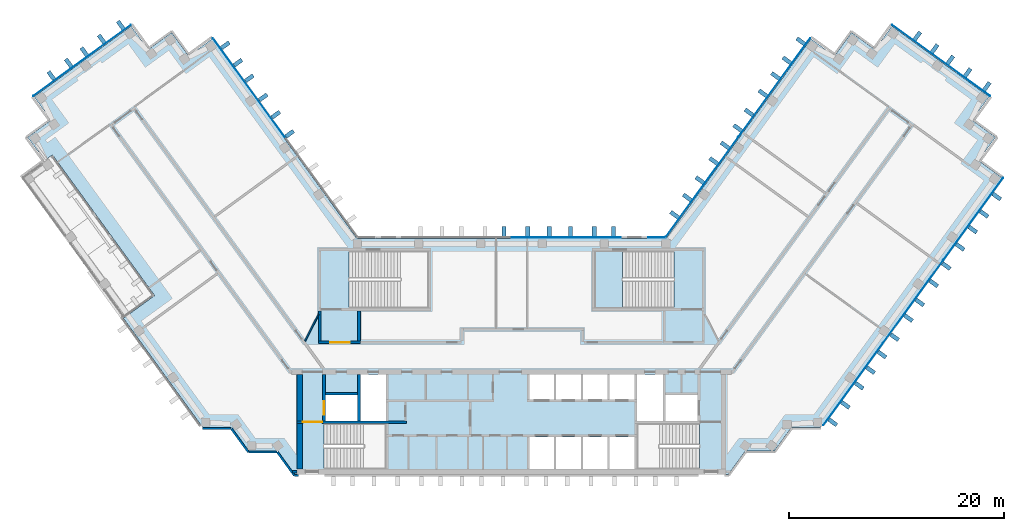
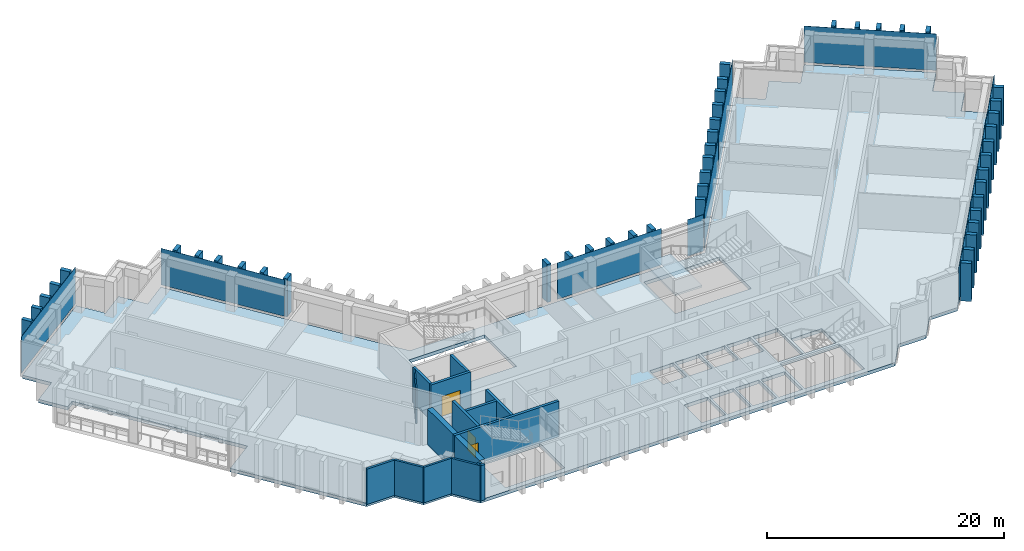
"""IFC4 building model written with IfcOpenShell, lengths in metres."""

from ifc_helpers import new_model, si_unit, direction, frame, frame_2d, origin, origin_2d, place, context, subcontext, project, spatial, polyline, rectangle, outline, extrude, material, layer, layer_set, type_object, element, fill, aggregate, save


model = new_model("IFC4")

# Units and contexts
model_context = context("Model", 3, precision=1e-05, world=origin(), true_north=direction((0.0, 1.0)))
body_context = subcontext(model_context, "Body", "Model", "MODEL_VIEW")
ifc_project = project(units=[si_unit("LENGTHUNIT", "METRE"), si_unit("AREAUNIT", "SQUARE_METRE"), si_unit("VOLUMEUNIT", "CUBIC_METRE"), si_unit("PLANEANGLEUNIT", "RADIAN"), si_unit("MASSUNIT", "GRAM", prefix="KILO")], contexts=[model_context])

# Site, building, storey
site_placement = place(None, origin())
site = spatial("IfcSite", under=ifc_project, at=site_placement, CompositionType="ELEMENT")
building_placement = place(site_placement, origin())
building = spatial("IfcBuilding", under=site, at=building_placement, Name="Quipu Civic Tower", CompositionType="ELEMENT")
storey_1_placement = place(building_placement, frame((0.0, 0.0, 152.0)))
storey_1 = spatial("IfcBuildingStorey", under=building, at=storey_1_placement, Name="L35", CompositionType="ELEMENT", Elevation=152.0)

# Slab
ifc_material_1 = material(Name="Concrete C40/50", Category="concrete")
ifc_layer_1 = layer(ifc_material_1, 0.35009765625)
ifc_layer_set_1 = layer_set([ifc_layer_1], Name="Concrete C40/50")
slab_type_1 = type_object("IfcSlabType", Name="Floor slab 350 C40/50", PredefinedType="FLOOR", material=ifc_layer_set_1)
slab_1_placement = place(storey_1_placement, frame((0.0, 0.0, -0.35009765625)))
element("IfcSlab", 1, at=slab_1_placement, inside=storey_1, type_object=slab_type_1, Name="Floor slab L35", PredefinedType="FLOOR", context=body_context, shape_type="SweptSolid", body=[
    extrude(outline(polyline([(-42.929931640625, 22.030029296875), (-44.514892578125, 24.215087890625), (-35.455078125, 30.800048828125), (-33.864990234375, 28.614990234375), (-31.68505859375, 30.199951171875), (-30.094970703125, 28.014892578125), (-27.909912109375, 29.60498046875), (-14.39501953125, 11.0), (14.39501953125, 11.0), (27.909912109375, 29.60498046875), (30.094970703125, 28.014892578125), (31.68505859375, 30.199951171875), (33.864990234375, 28.614990234375), (35.455078125, 30.800048828125), (44.514892578125, 24.215087890625), (42.929931640625, 22.030029296875), (45.114990234375, 20.445068359375), (43.52490234375, 18.260009765625), (45.7099609375, 16.669921875), (28.780029296875, -6.6298828125), (26.080078125, -6.6298828125), (24.489990234375, -8.81494140625), (21.7900390625, -8.81494140625), (20.205078125, -11.0), (-20.205078125, -11.0), (-21.7900390625, -8.81494140625), (-24.489990234375, -8.81494140625), (-26.080078125, -6.6298828125), (-28.780029296875, -6.6298828125), (-36.18994140625, 3.56494140625), (-33.27490234375, 5.679931640625), (-42.794921875, 18.7900390625), (-43.52490234375, 18.260009765625), (-45.114990234375, 20.445068359375), (-42.929931640625, 22.030029296875)]), holes=[polyline([(1.64990234375, -7.5), (1.64990234375, -10.5), (3.949951171875, -10.5), (3.949951171875, -7.5), (1.64990234375, -7.5)]), polyline([(4.14990234375, -7.5), (4.14990234375, -10.5), (6.449951171875, -10.5), (6.449951171875, -7.5), (4.14990234375, -7.5)]), polyline([(-11.705078125, -6.2548828125), (-17.4951171875, -6.2548828125), (-17.4951171875, -10.4951171875), (-11.705078125, -10.4951171875), (-11.705078125, -6.2548828125)]), polyline([(-17.35009765625, -3.60009765625), (-17.35009765625, -6.0), (-14.35009765625, -6.0), (-14.35009765625, -3.60009765625), (-17.35009765625, -3.60009765625)]), polyline([(-14.10009765625, -1.699951171875), (-14.10009765625, -6.0), (-11.699951171875, -6.0), (-11.699951171875, -1.699951171875), (-14.10009765625, -1.699951171875)]), polyline([(1.64990234375, -1.699951171875), (1.64990234375, -4.0), (3.949951171875, -4.0), (3.949951171875, -1.699951171875), (1.64990234375, -1.699951171875)]), polyline([(4.14990234375, -1.699951171875), (4.14990234375, -4.0), (6.449951171875, -4.0), (6.449951171875, -1.699951171875), (4.14990234375, -1.699951171875)]), polyline([(-7.7548828125, 9.844970703125), (-15.14501953125, 9.844970703125), (-15.14501953125, 4.5048828125), (-7.7548828125, 4.5048828125), (-7.7548828125, 9.844970703125)]), polyline([(6.64990234375, -7.5), (6.64990234375, -10.5), (8.949951171875, -10.5), (8.949951171875, -7.5), (6.64990234375, -7.5)]), polyline([(9.14990234375, -7.5), (9.14990234375, -10.5), (11.449951171875, -10.5), (11.449951171875, -7.5), (9.14990234375, -7.5)]), polyline([(11.705078125, -10.4951171875), (17.4951171875, -10.4951171875), (17.4951171875, -6.2548828125), (11.705078125, -6.2548828125), (11.705078125, -10.4951171875)]), polyline([(14.35009765625, -3.60009765625), (14.35009765625, -6.0), (17.35009765625, -6.0), (17.35009765625, -3.60009765625), (14.35009765625, -3.60009765625)]), polyline([(11.699951171875, -1.699951171875), (11.699951171875, -6.0), (14.10009765625, -6.0), (14.10009765625, -1.699951171875), (11.699951171875, -1.699951171875)]), polyline([(6.64990234375, -1.699951171875), (6.64990234375, -4.0), (8.949951171875, -4.0), (8.949951171875, -1.699951171875), (6.64990234375, -1.699951171875)]), polyline([(9.14990234375, -1.699951171875), (9.14990234375, -4.0), (11.449951171875, -4.0), (11.449951171875, -1.699951171875), (9.14990234375, -1.699951171875)]), polyline([(7.7548828125, 4.5048828125), (15.14501953125, 4.5048828125), (15.14501953125, 9.844970703125), (7.7548828125, 9.844970703125), (7.7548828125, 4.5048828125)])]), origin(), (0.0, 0.0, 1.0), 0.35009765625),
])

# Storey
storey_2_placement = place(building_placement, frame((0.0, 0.0, 148.0)))
storey_2 = spatial("IfcBuildingStorey", under=building, at=storey_2_placement, Name="L34", CompositionType="ELEMENT", Elevation=148.0)

# Curtain wall, plates
ifc_material_2 = material(Name="Insulated glass unit", Category="glass")
curtain_wall_type = type_object("IfcCurtainWallType", Name="Office curtain wall CW1", PredefinedType="NOTDEFINED", material=ifc_material_2)
curtain_wall_1_placement = place(storey_2_placement, origin())
curtain_wall_1 = element("IfcCurtainWall", 2, at=curtain_wall_1_placement, inside=storey_2, type_object=curtain_wall_type, Name="Office curtain wall CW1 L33 run 16", PredefinedType="NOTDEFINED")
ifc_material_3 = material(Name="Insulated glass unit", Category="glass")
ifc_layer_2 = layer(ifc_material_3, 0.028076171875)
ifc_layer_set_2 = layer_set([ifc_layer_2], Name="Insulated glass unit")
plate_type_1 = type_object("IfcPlateType", Name="Glass panel CW1", PredefinedType="CURTAIN_PANEL", material=ifc_layer_set_2)
plate_1_placement = place(storey_1_placement, frame((31.824951171875, -2.60888671875, 0.16015625), z_axis=(0.0, 0.0, 1.0), x_axis=(0.5877856923, 0.80901667469, 0.0)))
plate_1 = element("IfcPlate", 3, at=plate_1_placement, inside=storey_1, type_object=plate_type_1, Name="CW1 panel 1.3", PredefinedType="CURTAIN_PANEL", context=body_context, shape_type="SweptSolid", body=[
    extrude(rectangle(XDim=9.43212890625, YDim=0.028076171875, at=origin_2d()), origin(), (0.0, 0.0, 1.0), 3.760009765625),
])
plate_2_placement = place(storey_1_placement, frame((37.427734375, 5.102783203125, 0.16015625), z_axis=(0.0, 0.0, 1.0), x_axis=(0.5877856923, 0.80901667469, 0.0)))
plate_2 = element("IfcPlate", 4, at=plate_2_placement, inside=storey_1, type_object=plate_type_1, Name="CW1 panel 2.3", PredefinedType="CURTAIN_PANEL", context=body_context, shape_type="SweptSolid", body=[
    extrude(rectangle(XDim=9.471923828125, YDim=0.028076171875, at=origin_2d()), origin(), (0.0, 0.0, 1.0), 3.760009765625),
])
plate_3_placement = place(storey_1_placement, frame((43.030517578125, 12.814208984375, 0.16015625), z_axis=(0.0, 0.0, 1.0), x_axis=(0.5877856923, 0.80901667469, 0.0)))
plate_3 = element("IfcPlate", 5, at=plate_3_placement, inside=storey_1, type_object=plate_type_1, Name="CW1 panel 3.3", PredefinedType="CURTAIN_PANEL", context=body_context, shape_type="SweptSolid", body=[
    extrude(rectangle(XDim=9.43212890625, YDim=0.028076171875, at=origin_2d()), origin(), (0.0, 0.0, 1.0), 3.760009765625),
])
aggregate(curtain_wall_1, [plate_1, plate_2, plate_3])

# Curtain wall, plate
curtain_wall_2_placement = place(storey_2_placement, origin())
curtain_wall_2 = element("IfcCurtainWall", 6, at=curtain_wall_2_placement, inside=storey_2, type_object=curtain_wall_type, Name="Office curtain wall CW1 L33 run 21", PredefinedType="NOTDEFINED")
plate_4_placement = place(storey_1_placement, frame((40.04345703125, 27.58740234375, 0.16015625), z_axis=(0.0, 0.0, 1.0), x_axis=(-0.809015176832, 0.587787753918, 0.0)))
plate_4 = element("IfcPlate", 7, at=plate_4_placement, inside=storey_1, type_object=plate_type_1, Name="CW1 panel 1.3", PredefinedType="CURTAIN_PANEL", context=body_context, shape_type="SweptSolid", body=[
    extrude(rectangle(XDim=11.239990234375, YDim=0.028076171875, at=origin_2d()), origin(), (0.0, 0.0, 1.0), 3.760009765625),
])
aggregate(curtain_wall_2, [plate_4])

# Curtain wall, plates
curtain_wall_3_placement = place(storey_2_placement, origin())
curtain_wall_3 = element("IfcCurtainWall", 8, at=curtain_wall_3_placement, inside=storey_2, type_object=curtain_wall_type, Name="Office curtain wall CW1 L33 run 26", PredefinedType="NOTDEFINED")
plate_5_placement = place(storey_1_placement, frame((24.491455078125, 25.066162109375, 0.16015625), z_axis=(0.0, 0.0, 1.0), x_axis=(-0.587788727052, -0.809014469803, 0.0)))
plate_5 = element("IfcPlate", 9, at=plate_5_placement, inside=storey_1, type_object=plate_type_1, Name="CW1 panel 1.3", PredefinedType="CURTAIN_PANEL", context=body_context, shape_type="SweptSolid", body=[
    extrude(rectangle(XDim=11.402099609375, YDim=0.028076171875, at=origin_2d()), origin(), (0.0, 0.0, 1.0), 3.760009765625),
])
plate_6_placement = place(storey_1_placement, frame((17.7421875, 15.777099609375, 0.16015625), z_axis=(0.0, 0.0, 1.0), x_axis=(-0.587788727052, -0.809014469803, 0.0)))
plate_6 = element("IfcPlate", 10, at=plate_6_placement, inside=storey_1, type_object=plate_type_1, Name="CW1 panel 2.3", PredefinedType="CURTAIN_PANEL", context=body_context, shape_type="SweptSolid", body=[
    extrude(rectangle(XDim=11.402099609375, YDim=0.028076171875, at=origin_2d()), origin(), (0.0, 0.0, 1.0), 3.760009765625),
])
aggregate(curtain_wall_3, [plate_5, plate_6])

# Curtain wall, plate
curtain_wall_4_placement = place(storey_2_placement, origin())
curtain_wall_4 = element("IfcCurtainWall", 11, at=curtain_wall_4_placement, inside=storey_2, type_object=curtain_wall_type, Name="Office curtain wall CW1 L33 run 27", PredefinedType="NOTDEFINED")
plate_7_placement = place(storey_1_placement, frame((13.49951171875, 11.10009765625, 0.16015625), z_axis=(0.0, 0.0, 1.0), x_axis=(-1.0, 0.0, 0.0)))
plate_7 = element("IfcPlate", 12, at=plate_7_placement, inside=storey_1, type_object=plate_type_1, Name="CW1 panel 1.3", PredefinedType="CURTAIN_PANEL", context=body_context, shape_type="SweptSolid", body=[
    extrude(rectangle(XDim=1.529296875, YDim=0.028076171875, at=origin_2d()), origin(), (0.0, 0.0, 1.0), 3.760009765625),
])
aggregate(curtain_wall_4, [plate_7])

curtain_wall_5_placement = place(storey_2_placement, origin())
curtain_wall_5 = element("IfcCurtainWall", 13, at=curtain_wall_5_placement, inside=storey_2, type_object=curtain_wall_type, Name="Office curtain wall CW1 L33 run 29", PredefinedType="NOTDEFINED")
plate_8_placement = place(storey_1_placement, frame((5.11181640625, 11.10009765625, 0.16015625), z_axis=(0.0, 0.0, 1.0), x_axis=(-1.0, 0.0, 0.0)))
plate_8 = element("IfcPlate", 14, at=plate_8_placement, inside=storey_1, type_object=plate_type_1, Name="CW1 panel 1.3", PredefinedType="CURTAIN_PANEL", context=body_context, shape_type="SweptSolid", body=[
    extrude(rectangle(XDim=10.1435546875, YDim=0.028076171875, at=origin_2d()), origin(), (0.0, 0.0, 1.0), 3.760009765625),
])
aggregate(curtain_wall_5, [plate_8])

curtain_wall_6_placement = place(storey_2_placement, origin())
curtain_wall_6 = element("IfcCurtainWall", 15, at=curtain_wall_6_placement, inside=storey_2, type_object=curtain_wall_type, Name="Office curtain wall CW1 L33 run 32", PredefinedType="NOTDEFINED")
plate_9_placement = place(storey_1_placement, frame((-24.491455078125, 25.066162109375, 0.16015625), z_axis=(0.0, 0.0, 1.0), x_axis=(-0.587788727052, 0.809014469803, 0.0)))
plate_9 = element("IfcPlate", 16, at=plate_9_placement, inside=storey_1, type_object=plate_type_1, Name="CW1 panel 2.3", PredefinedType="CURTAIN_PANEL", context=body_context, shape_type="SweptSolid", body=[
    extrude(rectangle(XDim=11.402099609375, YDim=0.028076171875, at=origin_2d()), origin(), (0.0, 0.0, 1.0), 3.760009765625),
])
aggregate(curtain_wall_6, [plate_9])

curtain_wall_7_placement = place(storey_2_placement, origin())
curtain_wall_7 = element("IfcCurtainWall", 17, at=curtain_wall_7_placement, inside=storey_2, type_object=curtain_wall_type, Name="Office curtain wall CW1 L33 run 37", PredefinedType="NOTDEFINED")
plate_10_placement = place(storey_1_placement, frame((-40.04345703125, 27.58740234375, 0.16015625), z_axis=(0.0, 0.0, 1.0), x_axis=(-0.809015176832, -0.587787753918, 0.0)))
plate_10 = element("IfcPlate", 18, at=plate_10_placement, inside=storey_1, type_object=plate_type_1, Name="CW1 panel 1.3", PredefinedType="CURTAIN_PANEL", context=body_context, shape_type="SweptSolid", body=[
    extrude(rectangle(XDim=11.239990234375, YDim=0.028076171875, at=origin_2d()), origin(), (0.0, 0.0, 1.0), 3.760009765625),
])
aggregate(curtain_wall_7, [plate_10])

# Plates
ifc_material_4 = material(Name="Precast concrete C40/50", Category="concrete")
plate_type_2 = type_object("IfcPlateType", Name="Precast fin F2", PredefinedType="SHEET", material=ifc_material_4)
for number, where, z_axis, x_axis, name in (
    (19, (29.944091796875, -6.133056640625, 0.080078125), (0.0, 0.0, 1.0), (0.587785620359, 0.809016726959, 0.0), "Precast fin F2 L35.P13.1"),
    (20, (31.119873046875, -4.51513671875, 0.080078125), (0.0, 0.0, 1.0), (0.587785620359, 0.809016726959, 0.0), "Precast fin F2 L35.P13.2"),
    (21, (32.412841796875, -2.7353515625, 0.080078125), (0.0, 0.0, 1.0), (0.587785620359, 0.809016726959, 0.0), "Precast fin F2 L35.P13.3"),
    (22, (33.470947265625, -1.279052734375, 0.080078125), (0.0, 0.0, 1.0), (0.587785620359, 0.809016726959, 0.0), "Precast fin F2 L35.P13.4"),
    (23, (34.52880859375, 0.17724609375, 0.080078125), (0.0, 0.0, 1.0), (0.587785620359, 0.809016726959, 0.0), "Precast fin F2 L35.P13.5"),
    (24, (35.70458984375, 1.795166015625, 0.080078125), (0.0, 0.0, 1.0), (0.587785620359, 0.809016726959, 0.0), "Precast fin F2 L35.P13.6"),
    (25, (36.99755859375, 3.5751953125, 0.080078125), (0.0, 0.0, 1.0), (0.587785620359, 0.809016726959, 0.0), "Precast fin F2 L35.P13.7"),
    (26, (38.0556640625, 5.03125, 0.080078125), (0.0, 0.0, 1.0), (0.587785620359, 0.809016726959, 0.0), "Precast fin F2 L35.P13.8"),
    (27, (39.348876953125, 6.81103515625, 0.080078125), (0.0, 0.0, 1.0), (0.587785620359, 0.809016726959, 0.0), "Precast fin F2 L35.P13.9"),
    (28, (40.5244140625, 8.42919921875, 0.080078125), (0.0, 0.0, 1.0), (0.587785620359, 0.809016726959, 0.0), "Precast fin F2 L35.P13.10"),
    (29, (41.8173828125, 10.208984375, 0.080078125), (0.0, 0.0, 1.0), (0.587785620359, 0.809016726959, 0.0), "Precast fin F2 L35.P13.11"),
    (30, (42.992919921875, 11.8271484375, 0.080078125), (0.0, 0.0, 1.0), (0.587785620359, 0.809016726959, 0.0), "Precast fin F2 L35.P13.12"),
    (31, (44.051025390625, 13.283203125, 0.080078125), (0.0, 0.0, 1.0), (0.587785620359, 0.809016726959, 0.0), "Precast fin F2 L35.P13.13"),
    (32, (45.2265625, 14.9013671875, 0.080078125), (0.0, 0.0, 1.0), (0.587785620359, 0.809016726959, 0.0), "Precast fin F2 L35.P13.14"),
    (33, (44.298583984375, 25.17578125, 0.080078125), (0.0, 0.0, 1.0), (-0.809017072762, 0.587785144401, 0.0), "Precast fin F2 L35.P18.1"),
    (34, (42.518798828125, 26.468994140625, 0.080078125), (0.0, 0.0, 1.0), (-0.809017072762, 0.587785144401, 0.0), "Precast fin F2 L35.P18.2"),
    (35, (40.900634765625, 27.64453125, 0.080078125), (0.0, 0.0, 1.0), (-0.809017072762, 0.587785144401, 0.0), "Precast fin F2 L35.P18.3"),
    (36, (39.444580078125, 28.70263671875, 0.080078125), (0.0, 0.0, 1.0), (-0.809017072762, 0.587785144401, 0.0), "Precast fin F2 L35.P18.4"),
    (37, (37.826416015625, 29.878173828125, 0.080078125), (0.0, 0.0, 1.0), (-0.809017072762, 0.587785144401, 0.0), "Precast fin F2 L35.P18.5"),
    (38, (26.95068359375, 29.386962890625, 0.080078125), (0.0, 0.0, 1.0), (-0.587787133119, -0.809015627871, 0.0), "Precast fin F2 L35.P23.1"),
    (39, (25.657470703125, 27.607177734375, 0.080078125), (0.0, 0.0, 1.0), (-0.587787133119, -0.809015627871, 0.0), "Precast fin F2 L35.P23.2"),
    (40, (24.599609375, 26.15087890625, 0.080078125), (0.0, 0.0, 1.0), (-0.587787133119, -0.809015627871, 0.0), "Precast fin F2 L35.P23.3"),
    (41, (23.424072265625, 24.53271484375, 0.080078125), (0.0, 0.0, 1.0), (-0.587787133119, -0.809015627871, 0.0), "Precast fin F2 L35.P23.4"),
    (42, (22.130859375, 22.7529296875, 0.080078125), (0.0, 0.0, 1.0), (-0.587787133119, -0.809015627871, 0.0), "Precast fin F2 L35.P23.5"),
    (43, (21.07275390625, 21.296630859375, 0.080078125), (0.0, 0.0, 1.0), (-0.587787133119, -0.809015627871, 0.0), "Precast fin F2 L35.P23.6"),
    (44, (19.897216796875, 19.6787109375, 0.080078125), (0.0, 0.0, 1.0), (-0.587787133119, -0.809015627871, 0.0), "Precast fin F2 L35.P23.7"),
    (45, (18.839111328125, 18.222412109375, 0.080078125), (0.0, 0.0, 1.0), (-0.587787133119, -0.809015627871, 0.0), "Precast fin F2 L35.P23.8"),
    (46, (17.546142578125, 16.442626953125, 0.080078125), (0.0, 0.0, 1.0), (-0.587787133119, -0.809015627871, 0.0), "Precast fin F2 L35.P23.9"),
    (47, (16.37060546875, 14.82470703125, 0.080078125), (0.0, 0.0, 1.0), (-0.587787133119, -0.809015627871, 0.0), "Precast fin F2 L35.P23.10"),
    (48, (15.19482421875, 13.20654296875, 0.080078125), (0.0, 0.0, 1.0), (-0.587787133119, -0.809015627871, 0.0), "Precast fin F2 L35.P23.11"),
    (49, (9.510009765625, 11.64990234375, 0.080078125), (0.0, 0.0, 1.0), (-1.0, 0.0, 0.0), "Precast fin F2 L35.P26.1"),
    (50, (7.7099609375, 11.64990234375, 0.080078125), (0.0, 0.0, 1.0), (-1.0, 0.0, 0.0), "Precast fin F2 L35.P26.2"),
    (51, (5.510009765625, 11.64990234375, 0.080078125), (0.0, 0.0, 1.0), (-1.0, 0.0, 0.0), "Precast fin F2 L35.P26.3"),
    (52, (3.510009765625, 11.64990234375, 0.080078125), (0.0, 0.0, 1.0), (-1.0, 0.0, 0.0), "Precast fin F2 L35.P26.4"),
    (53, (1.510009765625, 11.64990234375, 0.080078125), (0.0, 0.0, 1.0), (-1.0, 0.0, 0.0), "Precast fin F2 L35.P26.5"),
    (54, (-0.68994140625, 11.64990234375, 0.080078125), (0.0, 0.0, 1.0), (-1.0, 0.0, 0.0), "Precast fin F2 L35.P26.6"),
    (55, (-20.681884765625, 20.758544921875, 0.080078125), (0.0, 0.0, 1.0), (-0.587787133119, 0.809015627871, 0.0), "Precast fin F2 L35.P29.6"),
    (56, (-21.974853515625, 22.538330078125, 0.080078125), (0.0, 0.0, 1.0), (-0.587787133119, 0.809015627871, 0.0), "Precast fin F2 L35.P29.7"),
    (57, (-23.150390625, 24.156494140625, 0.080078125), (0.0, 0.0, 1.0), (-0.587787133119, 0.809015627871, 0.0), "Precast fin F2 L35.P29.8"),
    (58, (-24.443603515625, 25.936279296875, 0.080078125), (0.0, 0.0, 1.0), (-0.587787133119, 0.809015627871, 0.0), "Precast fin F2 L35.P29.9"),
    (59, (-25.501708984375, 27.392578125, 0.080078125), (0.0, 0.0, 1.0), (-0.587787133119, 0.809015627871, 0.0), "Precast fin F2 L35.P29.10"),
    (60, (-26.67724609375, 29.010498046875, 0.080078125), (0.0, 0.0, 1.0), (-0.587787133119, 0.809015627871, 0.0), "Precast fin F2 L35.P29.11"),
    (61, (-36.434814453125, 30.88916015625, 0.080078125), (0.0, 0.0, 1.0), (-0.809017072762, -0.587785144401, 0.0), "Precast fin F2 L35.P34.1"),
    (62, (-38.21484375, 29.595947265625, 0.080078125), (0.0, 0.0, 1.0), (-0.809017072762, -0.587785144401, 0.0), "Precast fin F2 L35.P34.2"),
    (63, (-39.832763671875, 28.42041015625, 0.080078125), (0.0, 0.0, 1.0), (-0.809017072762, -0.587785144401, 0.0), "Precast fin F2 L35.P34.3"),
    (64, (-41.2890625, 27.3623046875, 0.080078125), (0.0, 0.0, 1.0), (-0.809017072762, -0.587785144401, 0.0), "Precast fin F2 L35.P34.4"),
    (65, (-42.906982421875, 26.186767578125, 0.080078125), (0.0, 0.0, 1.0), (-0.809017072762, -0.587785144401, 0.0), "Precast fin F2 L35.P34.5"),
):
    element("IfcPlate", number, at=place(storey_1_placement, frame(where, z_axis=z_axis, x_axis=x_axis)), inside=storey_1, type_object=plate_type_2, Name=name, PredefinedType="SHEET", context=body_context, shape_type="SweptSolid", body=[
        extrude(rectangle(XDim=0.3798828125, YDim=0.89990234375, at=origin_2d()), origin(), (0.0, 0.0, 1.0), 3.919921875),
    ])

# Stair, slab
ifc_material_5 = material(Name="Concrete C40/50", Category="concrete")
stair_type = type_object("IfcStairType", Name="Half turn stair 2600", PredefinedType="HALF_TURN_STAIR", material=ifc_material_5)
stair_placement = place(storey_1_placement, origin())
stair = element("IfcStair", 66, at=stair_placement, inside=storey_1, type_object=stair_type, Name="Exit stair 4", PredefinedType="HALF_TURN_STAIR")
ifc_material_6 = material(Name="Concrete C40/50", Category="concrete")
ifc_layer_3 = layer(ifc_material_6, 0.199951171875)
ifc_layer_set_3 = layer_set([ifc_layer_3], Name="Concrete C40/50")
slab_type_2 = type_object("IfcSlabType", Name="Stair landing 200", PredefinedType="LANDING", material=ifc_layer_set_3)
slab_2_placement = place(storey_1_placement, frame((0.0, 0.0, 1.800048828125)))
slab_2 = element("IfcSlab", 67, at=slab_2_placement, type_object=slab_type_2, Name="ST-4 landing 1", PredefinedType="LANDING", context=body_context, shape_type="SweptSolid", body=[
    extrude(outline(polyline([(10.35009765625, 9.85009765625), (7.75, 9.85009765625), (7.75, 4.5), (10.35009765625, 4.5), (10.35009765625, 9.85009765625)])), origin(), (0.0, 0.0, 1.0), 0.199951171875),
])
aggregate(stair, [slab_2])

# Wall, opening, door
ifc_material_7 = material(Name="Concrete C70/85", Category="concrete")
ifc_layer_4 = layer(ifc_material_7, 0.25)
ifc_layer_set_4 = layer_set([ifc_layer_4], Name="Concrete C70/85")
wall_type_1 = type_object("IfcWallType", Name="Core wall 250", PredefinedType="SHEAR", material=ifc_layer_set_4)
wall_1_placement = place(storey_1_placement, frame((-9.800048828125, -6.125, 0.0), z_axis=(0.0, 0.0, 1.0), x_axis=(-1.0, 0.0, 0.0)))
wall_1 = element("IfcWall", 68, at=wall_1_placement, inside=storey_1, type_object=wall_type_1, Name="Core wall", PredefinedType="SHEAR", context=body_context, shape_type="SweptSolid", body=[
    extrude(rectangle(XDim=10.199951171875, YDim=0.25, at=frame_2d((5.10009765625, 0.0))), origin(), (0.0, 0.0, 1.0), 3.64990234375),
])
opening_1_placement = place(wall_1_placement, frame((7.85009765625, 0.0, 0.0)))
opening_1 = element("IfcOpeningElement", 69, at=opening_1_placement, cuts=wall_1, Name="Opening CD-07", PredefinedType="OPENING", context=body_context, shape_type="SweptSolid", body=[
    extrude(rectangle(XDim=1.800048828125, YDim=2.10009765625, at=frame_2d((0.89990234375, 1.050048828125))), frame((0.0, 0.135009765625, 0.0), z_axis=(0.0, -1.0, 0.0), x_axis=(1.0, 0.0, 0.0)), (0.0, 0.0, 1.0), 0.27001953125),
])
ifc_material_8 = material(Name="Fire rated steel door", Category="steel")
door_type_1 = type_object("IfcDoorType", Name="Fire door FD90 double 1800 x 2100", OperationType="NOTDEFINED", PredefinedType="DOOR", material=ifc_material_8)
door_1_placement = place(opening_1_placement, origin())
door_1 = element("IfcDoor", 70, at=door_1_placement, inside=storey_1, type_object=door_type_1, Name="Door", OperationType="DOUBLE_DOOR_SINGLE_SWING", OverallHeight=2.10009765625, OverallWidth=1.800048828125, PredefinedType="DOOR", context=body_context, shape_type="SweptSolid", body=[
    extrude(rectangle(XDim=1.800048828125, YDim=2.10009765625, at=frame_2d((0.89990234375, 1.050048828125))), frame((0.0, 0.02490234375, 0.0), z_axis=(0.0, -1.0, 0.0), x_axis=(1.0, 0.0, 0.0)), (0.0, 0.0, 1.0), 0.050048828125),
])
fill(opening_1, door_1)

wall_2_placement = place(storey_1_placement, frame((-17.47509765625, -6.0, 0.0), z_axis=(0.0, 0.0, 1.0), x_axis=(0.0, 1.0, 0.0)))
wall_2 = element("IfcWall", 71, at=wall_2_placement, inside=storey_1, type_object=wall_type_1, Name="Core wall", PredefinedType="SHEAR", context=body_context, shape_type="SweptSolid", body=[
    extrude(rectangle(XDim=4.300048828125, YDim=0.25, at=frame_2d((2.14990234375, 0.0))), origin(), (0.0, 0.0, 1.0), 3.64990234375),
])
opening_2_placement = place(wall_2_placement, frame((0.550048828125, 0.0, 0.0)))
opening_2 = element("IfcOpeningElement", 72, at=opening_2_placement, cuts=wall_2, Name="Opening LD-FF1", PredefinedType="OPENING", context=body_context, shape_type="SweptSolid", body=[
    extrude(rectangle(XDim=1.300048828125, YDim=2.10009765625, at=frame_2d((0.64990234375, 1.050048828125))), frame((0.0, 0.135009765625, 0.0), z_axis=(0.0, -1.0, 0.0), x_axis=(1.0, 0.0, 0.0)), (0.0, 0.0, 1.0), 0.27001953125),
])
ifc_material_9 = material(Name="Stainless steel", Category="steel")
door_type_2 = type_object("IfcDoorType", Name="Lift landing door 1300 x 2100", OperationType="DOUBLE_DOOR_SLIDING", PredefinedType="DOOR", material=ifc_material_9)
door_2_placement = place(opening_2_placement, origin())
door_2 = element("IfcDoor", 73, at=door_2_placement, inside=storey_1, type_object=door_type_2, Name="Landing door FF1", OperationType="DOUBLE_DOOR_SLIDING", OverallHeight=2.10009765625, OverallWidth=1.300048828125, PredefinedType="DOOR", context=body_context, shape_type="SweptSolid", body=[
    extrude(rectangle(XDim=1.300048828125, YDim=2.10009765625, at=frame_2d((0.64990234375, 1.050048828125))), frame((0.0, 0.02490234375, 0.0), z_axis=(0.0, -1.0, 0.0), x_axis=(1.0, 0.0, 0.0)), (0.0, 0.0, 1.0), 0.050048828125),
])
fill(opening_2, door_2)

# Walls
wall_3_placement = place(storey_1_placement, frame((-14.22509765625, -6.0, 0.0), z_axis=(0.0, 0.0, 1.0), x_axis=(0.0, 1.0, 0.0)))
element("IfcWall", 74, at=wall_3_placement, inside=storey_1, type_object=wall_type_1, Name="Core wall", PredefinedType="SHEAR", context=body_context, shape_type="SweptSolid", body=[
    extrude(rectangle(XDim=4.300048828125, YDim=0.25, at=frame_2d((2.14990234375, 0.0))), origin(), (0.0, 0.0, 1.0), 3.64990234375),
])
wall_4_placement = place(storey_1_placement, frame((-17.35009765625, -3.47509765625, 0.0), z_axis=(0.0, 0.0, 1.0), x_axis=(1.0, 0.0, 0.0)))
element("IfcWall", 75, at=wall_4_placement, inside=storey_1, type_object=wall_type_1, Name="Core wall", PredefinedType="SHEAR", context=body_context, shape_type="SweptSolid", body=[
    extrude(rectangle(XDim=3.0, YDim=0.25, at=frame_2d((1.5, 0.0))), origin(), (0.0, 0.0, 1.0), 3.64990234375),
])

# Wall, opening, door
wall_5_placement = place(storey_1_placement, frame((-18.0, 1.324951171875, 0.0), z_axis=(0.0, 0.0, 1.0), x_axis=(1.0, 0.0, 0.0)))
wall_5 = element("IfcWall", 76, at=wall_5_placement, inside=storey_1, type_object=wall_type_1, Name="Core wall", PredefinedType="SHEAR", context=body_context, shape_type="SweptSolid", body=[
    extrude(rectangle(XDim=3.89990234375, YDim=0.25, at=frame_2d((1.949951171875, 0.0))), origin(), (0.0, 0.0, 1.0), 3.64990234375),
])
opening_3_placement = place(wall_5_placement, frame((1.10009765625, 0.0, 0.0)))
opening_3 = element("IfcOpeningElement", 77, at=opening_3_placement, cuts=wall_5, Name="Opening CD-22", PredefinedType="OPENING", context=body_context, shape_type="SweptSolid", body=[
    extrude(rectangle(XDim=1.800048828125, YDim=2.10009765625, at=frame_2d((0.89990234375, 1.050048828125))), frame((0.0, 0.135009765625, 0.0), z_axis=(0.0, -1.0, 0.0), x_axis=(1.0, 0.0, 0.0)), (0.0, 0.0, 1.0), 0.27001953125),
])
door_3_placement = place(opening_3_placement, origin())
door_3 = element("IfcDoor", 78, at=door_3_placement, inside=storey_1, type_object=door_type_1, Name="Lobby door", OperationType="DOUBLE_DOOR_SINGLE_SWING", OverallHeight=2.10009765625, OverallWidth=1.800048828125, PredefinedType="DOOR", context=body_context, shape_type="SweptSolid", body=[
    extrude(rectangle(XDim=1.800048828125, YDim=2.10009765625, at=frame_2d((0.89990234375, 1.050048828125))), frame((0.0, 0.02490234375, 0.0), z_axis=(0.0, -1.0, 0.0), x_axis=(1.0, 0.0, 0.0)), (0.0, 0.0, 1.0), 0.050048828125),
])
fill(opening_3, door_3)

# Walls
for number, where, z_axis, x_axis, name in (
    (79, (-17.875, 1.449951171875, 0.0), (0.0, 0.0, 1.0), (0.0, 1.0, 0.0), "Core wall"),
    (80, (-14.22509765625, 1.449951171875, 0.0), (0.0, 0.0, 1.0), (0.0, 1.0, 0.0), "Core wall"),
):
    element("IfcWall", number, at=place(storey_1_placement, frame(where, z_axis=z_axis, x_axis=x_axis)), inside=storey_1, type_object=wall_type_1, Name=name, PredefinedType="SHEAR", context=body_context, shape_type="SweptSolid", body=[
        extrude(rectangle(XDim=2.800048828125, YDim=0.25, at=frame_2d((1.39990234375, 0.0))), origin(), (0.0, 0.0, 1.0), 3.64990234375),
    ])
ifc_material_10 = material(Name="Concrete C70/85", Category="concrete")
ifc_layer_5 = layer(ifc_material_10, 0.5)
ifc_layer_set_5 = layer_set([ifc_layer_5], Name="Concrete C70/85")
wall_type_2 = type_object("IfcWallType", Name="Core wall 500", PredefinedType="SHEAR", material=ifc_layer_set_5)
wall_6_placement = place(storey_1_placement, frame((-19.75, -10.5, 0.0), z_axis=(0.0, 0.0, 1.0), x_axis=(0.0, 1.0, 0.0)))
element("IfcWall", 81, at=wall_6_placement, inside=storey_1, type_object=wall_type_2, Name="Core wall", PredefinedType="SHEAR", context=body_context, shape_type="SweptSolid", body=[
    extrude(rectangle(XDim=4.25, YDim=0.5, at=frame_2d((2.125, 0.0))), origin(), (0.0, 0.0, 1.0), 3.64990234375),
])
wall_7_placement = place(storey_1_placement, frame((-19.75, -6.0, 0.0), z_axis=(0.0, 0.0, 1.0), x_axis=(0.0, 1.0, 0.0)))
element("IfcWall", 82, at=wall_7_placement, inside=storey_1, type_object=wall_type_2, Name="Core wall", PredefinedType="SHEAR", context=body_context, shape_type="SweptSolid", body=[
    extrude(rectangle(XDim=4.300048828125, YDim=0.5, at=frame_2d((2.14990234375, 0.0))), origin(), (0.0, 0.0, 1.0), 3.64990234375),
])
ifc_material_11 = material(Name="Gypsum plasterboard on light gauge framing")
ifc_layer_6 = layer(ifc_material_11, 0.1201171875)
ifc_layer_set_6 = layer_set([ifc_layer_6], Name="Gypsum plasterboard on light gauge framing")
wall_type_3 = type_object("IfcWallType", Name="Partition 120 plasterboard", PredefinedType="PARTITIONING", material=ifc_layer_set_6)
wall_8_placement = place(storey_1_placement, frame((-19.260986328125, 1.449951171875, 0.0), z_axis=(0.0, 0.0, 1.0), x_axis=(0.453950796792, 0.891026752736, 0.0)))
element("IfcWall", 83, at=wall_8_placement, inside=storey_1, type_object=wall_type_3, Name="Partition P15", PredefinedType="PARTITIONING", context=body_context, shape_type="SweptSolid", body=[
    extrude(rectangle(XDim=2.77783203125, YDim=0.1201171875, at=frame_2d((1.388916015625, 0.0))), origin(), (0.0, 0.0, 1.0), 3.64990234375),
])
ifc_material_12 = material(Name="Precast concrete C40/50", Category="concrete")
wall_type_4 = type_object("IfcWallType", Name="Precast cladding wall", PredefinedType="SOLIDWALL", material=ifc_material_12)
wall_9_placement = place(storey_1_placement, frame((-28.829833984375, -6.71923828125, 0.0), z_axis=(0.0, 0.0, 1.0), x_axis=(1.0, 0.0, 0.0)))
element("IfcWall", 84, at=wall_9_placement, inside=storey_1, type_object=wall_type_4, Name="Precast cladding wall L35 P01", PredefinedType="SOLIDWALL", context=body_context, shape_type="SweptSolid", body=[
    extrude(rectangle(XDim=2.699951171875, YDim=0.199951171875, at=frame_2d((1.35009765625, 0.0))), origin(), (0.0, 0.0, 1.0), 3.64990234375),
])
wall_10_placement = place(storey_1_placement, frame((-26.1201171875, -6.72412109375, 0.0), z_axis=(0.0, 0.0, 1.0), x_axis=(0.587720002413, -0.809064397168, 0.0)))
element("IfcWall", 85, at=wall_10_placement, inside=storey_1, type_object=wall_type_4, Name="Precast cladding wall L35 P02", PredefinedType="SOLIDWALL", context=body_context, shape_type="SweptSolid", body=[
    extrude(rectangle(XDim=2.7001953125, YDim=0.199951171875, at=frame_2d((1.35009765625, 0.0))), origin(), (0.0, 0.0, 1.0), 3.64990234375),
])
wall_11_placement = place(storey_1_placement, frame((-24.542724609375, -8.90380859375, 0.0), z_axis=(0.0, 0.0, 1.0), x_axis=(1.0, 0.0, 0.0)))
element("IfcWall", 86, at=wall_11_placement, inside=storey_1, type_object=wall_type_4, Name="Precast cladding wall L35 P03", PredefinedType="SOLIDWALL", context=body_context, shape_type="SweptSolid", body=[
    extrude(rectangle(XDim=2.699951171875, YDim=0.199951171875, at=frame_2d((1.35009765625, 0.0))), origin(), (0.0, 0.0, 1.0), 3.64990234375),
])
wall_12_placement = place(storey_1_placement, frame((-21.8330078125, -8.90869140625, 0.0), z_axis=(0.0, 0.0, 1.0), x_axis=(0.587766567315, -0.809030569476, 0.0)))
element("IfcWall", 87, at=wall_12_placement, inside=storey_1, type_object=wall_type_4, Name="Precast cladding wall L35 P04", PredefinedType="SOLIDWALL", context=body_context, shape_type="SweptSolid", body=[
    extrude(rectangle(XDim=2.687744140625, YDim=0.199951171875, at=frame_2d((1.34375, 0.0))), origin(), (0.0, 0.0, 1.0), 3.64990234375),
])
wall_13_placement = place(storey_1_placement, frame((-20.255859375, -11.087890625, 0.0), z_axis=(0.0, 0.0, 1.0), x_axis=(1.0, 0.0, 0.0)))
element("IfcWall", 88, at=wall_13_placement, inside=storey_1, type_object=wall_type_4, Name="Precast cladding wall L35 P05", PredefinedType="SOLIDWALL", context=body_context, shape_type="SweptSolid", body=[
    extrude(rectangle(XDim=0.40576171875, YDim=0.199951171875, at=frame_2d((0.202880859375, 0.0))), origin(), (0.0, 0.0, 1.0), 3.64990234375),
])
wall_14_placement = place(storey_1_placement, frame((-19.97998046875, -10.75, 0.0), z_axis=(0.0, 0.0, 1.0), x_axis=(-1.0, 0.0, 0.0)))
element("IfcWall", 89, at=wall_14_placement, inside=storey_1, type_object=wall_type_4, Name="Precast cladding return L35 W", PredefinedType="SOLIDWALL", context=body_context, shape_type="SweptSolid", body=[
    extrude(rectangle(XDim=0.41650390625, YDim=0.199951171875, at=frame_2d((0.208251953125, 0.0))), origin(), (0.0, 0.0, 1.0), 3.64990234375),
])

save(model, "model.ifc")
